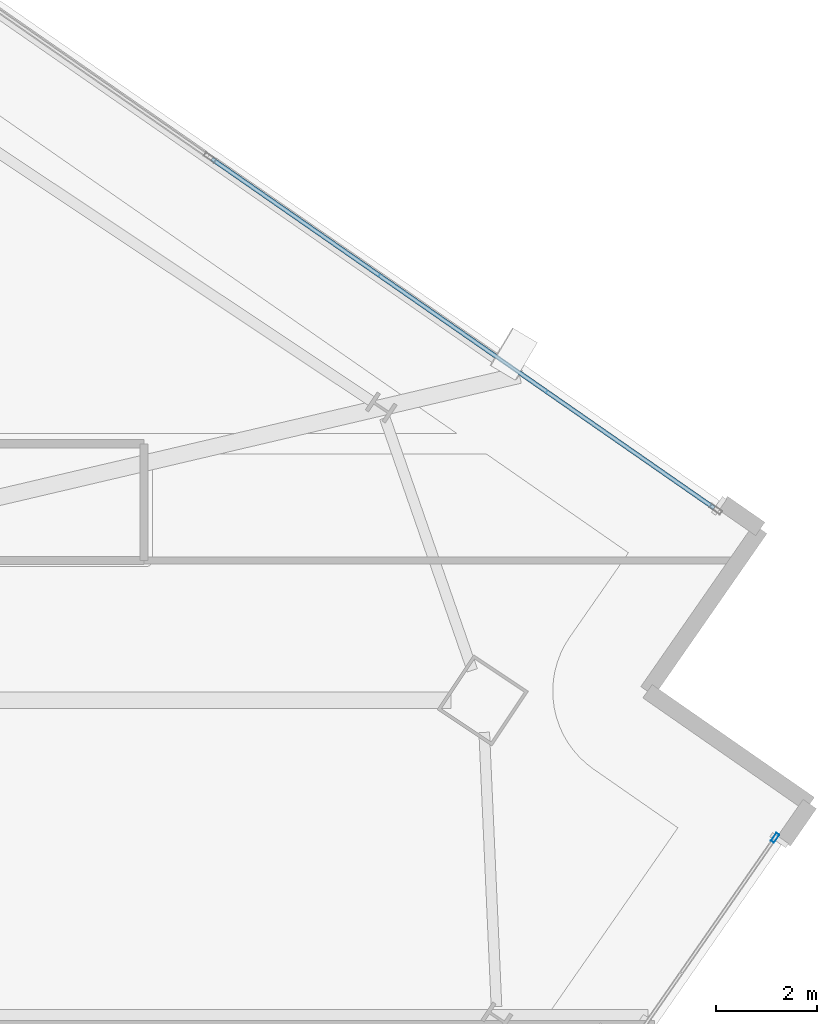
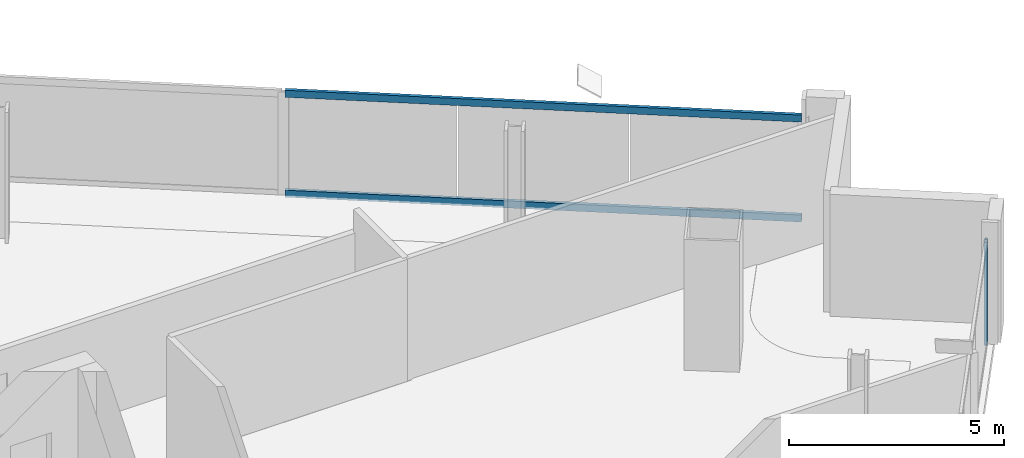
# One storey, part 18 of 30: 3 members, 2 elements without a shape of their own.
"""IFC4 building model written with IfcOpenShell, lengths in metres."""

from ifc_helpers import new_model, si_unit, direction, frame, origin, origin_2d, place, context, subcontext, project, spatial, hollow_rectangle, extrude, material, material_profile, profile_set, type_object, element, aggregate, save


model = new_model("IFC4")

# Units and contexts
model_context = context("Model", 3, precision=1e-05, world=origin(), true_north=direction((0.0, 1.0)))
body_context = subcontext(model_context, "Body", "Model", "MODEL_VIEW")
ifc_project = project(units=[si_unit("LENGTHUNIT", "METRE"), si_unit("AREAUNIT", "SQUARE_METRE"), si_unit("VOLUMEUNIT", "CUBIC_METRE"), si_unit("PLANEANGLEUNIT", "RADIAN"), si_unit("MASSUNIT", "GRAM", prefix="KILO")], contexts=[model_context])

# Site, building, storey
site_placement = place(None, origin())
site = spatial("IfcSite", under=ifc_project, at=site_placement, CompositionType="ELEMENT")
building_placement = place(site_placement, origin())
building = spatial("IfcBuilding", under=site, at=building_placement, Name="Haldenkirk Collegiate Tower", CompositionType="ELEMENT")
storey_placement = place(building_placement, frame((0.0, 0.0, 213.449951171875)))
storey = spatial("IfcBuildingStorey", under=building, at=storey_placement, Name="L53", CompositionType="ELEMENT", Elevation=213.449951171875)

# Curtain wall, member
ifc_material = material(Name="Anodised architectural bronze aluminium", Category="aluminium")
curtain_wall_type_1 = type_object("IfcCurtainWallType", Name="CW-SYS2-CONCAVE", PredefinedType="USERDEFINED", material=ifc_material)
curtain_wall_1_placement = place(storey_placement, origin())
curtain_wall_1 = element("IfcCurtainWall", 1, at=curtain_wall_1_placement, inside=storey, type_object=curtain_wall_type_1, Name="L53 South concave recessed bronze-anodised curtain wall", ObjectType="UNITISED CURTAIN WALL", PredefinedType="USERDEFINED")
ifc_material_profile_1 = material_profile(ifc_material, hollow_rectangle(XDim=0.074951171875, YDim=0.18994140625, WallThickness=0.0048828125, at=origin_2d()), Name="CW-MUL-02")
ifc_profile_set_1 = profile_set([ifc_material_profile_1], Name="Anodised architectural bronze aluminium")
member_type_1 = type_object("IfcMemberType", Name="CW-MUL-02", PredefinedType="MULLION", material=ifc_profile_set_1)
member_1_placement = place(storey_placement, frame((66.2568359375, 28.672607421875, 0.0), z_axis=(0.0, 0.0, 1.0), x_axis=(0.82114783118, -0.570715550295, 0.0)))
member_1 = element("IfcMember", 2, at=member_1_placement, type_object=member_type_1, Name="CW-02 mullion 1", PredefinedType="MULLION", context=body_context, shape_type="SweptSolid", body=[
    extrude(hollow_rectangle(XDim=0.074951171875, YDim=0.18994140625, WallThickness=0.0048828125, at=origin_2d()), origin(), (0.0, 0.0, 1.0), 2.927978515625),
])
aggregate(curtain_wall_1, [member_1])

# Curtain wall, members
curtain_wall_type_2 = type_object("IfcCurtainWallType", Name="CW-SYS1B-CONVEX-HI", PredefinedType="USERDEFINED", material=ifc_material)
curtain_wall_2_placement = place(storey_placement, origin())
curtain_wall_2 = element("IfcCurtainWall", 3, at=curtain_wall_2_placement, inside=storey, type_object=curtain_wall_type_2, Name="L53 Upper tower high-wind convex bronze unitised curtain wall", ObjectType="UNITISED CURTAIN WALL", PredefinedType="USERDEFINED")
ifc_material_profile_2 = material_profile(ifc_material, hollow_rectangle(XDim=0.0849609375, YDim=0.199951171875, WallThickness=0.0048828125, at=origin_2d()), Name="CW-TRN-1B")
ifc_profile_set_2 = profile_set([ifc_material_profile_2], Name="Anodised architectural bronze aluminium")
member_type_2 = type_object("IfcMemberType", Name="CW-TRN-1B", PredefinedType="USERDEFINED", material=ifc_profile_set_2)
member_2_placement = place(storey_placement, frame((55.137939453125, 42.072265625, 0.04248046875), z_axis=(0.821148310644, -0.570714860439, 0.0), x_axis=(0.570714860439, 0.821148310644, 0.0)))
member_2 = element("IfcMember", 4, at=member_2_placement, type_object=member_type_2, Name="CW-1B transom 3.1", ObjectType="TRANSOM", PredefinedType="USERDEFINED", context=body_context, shape_type="SweptSolid", body=[
    extrude(hollow_rectangle(XDim=0.0849609375, YDim=0.199951171875, WallThickness=0.0048828125, at=origin_2d()), origin(), (0.0, 0.0, 1.0), 12.07275390625),
])
member_3_placement = place(storey_placement, frame((55.137939453125, 42.072265625, 2.885498046875), z_axis=(0.821148310644, -0.570714860439, 0.0), x_axis=(0.570714860439, 0.821148310644, 0.0)))
member_3 = element("IfcMember", 5, at=member_3_placement, type_object=member_type_2, Name="CW-1B transom 3.2", ObjectType="TRANSOM", PredefinedType="USERDEFINED", context=body_context, shape_type="SweptSolid", body=[
    extrude(hollow_rectangle(XDim=0.0849609375, YDim=0.199951171875, WallThickness=0.0048828125, at=origin_2d()), origin(), (0.0, 0.0, 1.0), 12.07275390625),
])
aggregate(curtain_wall_2, [member_2, member_3])

save(model, "model.ifc")
